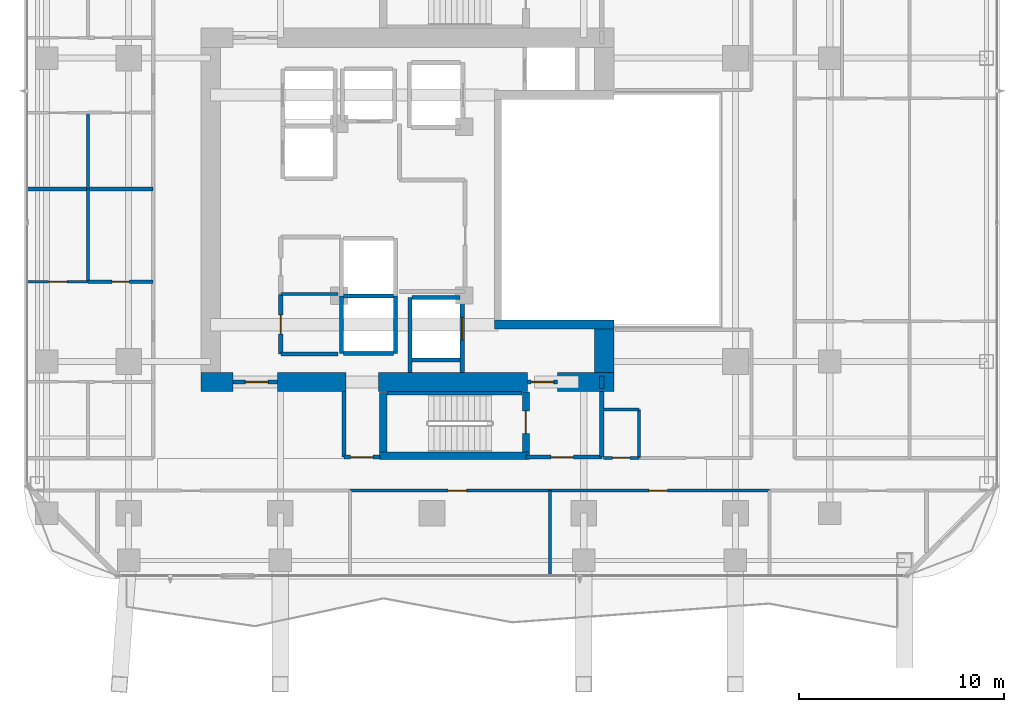
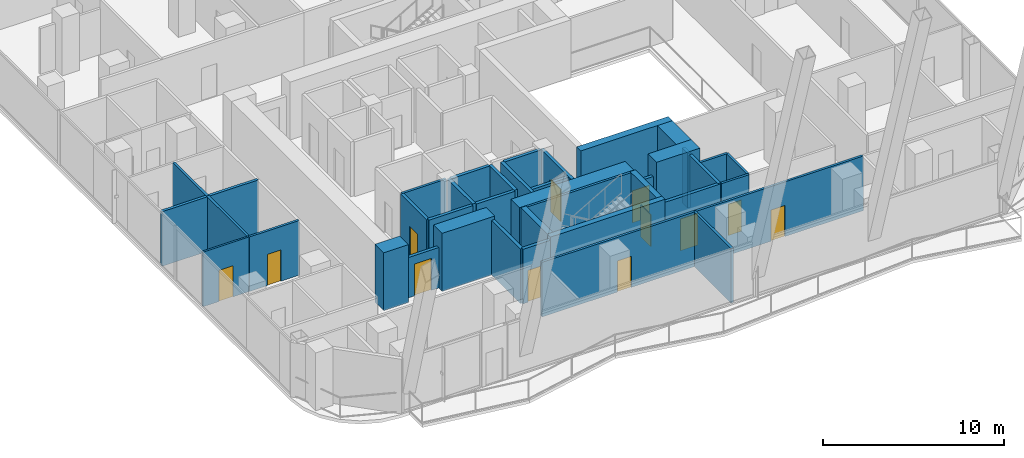
# One storey, part 19 of 30: 39 walls, 12 doors, 12 openings.
"""IFC4 building model written with IfcOpenShell, lengths in metres."""

from ifc_helpers import new_model, si_unit, direction, frame, frame_2d, origin, place, context, subcontext, project, spatial, rectangle, extrude, material, layer, layer_set, type_object, element, fill, save


model = new_model("IFC4")

# Units and contexts
model_context = context("Model", 3, precision=1e-05, world=origin(), true_north=direction((0.0, 1.0)))
body_context = subcontext(model_context, "Body", "Model", "MODEL_VIEW")
ifc_project = project(units=[si_unit("LENGTHUNIT", "METRE"), si_unit("AREAUNIT", "SQUARE_METRE"), si_unit("VOLUMEUNIT", "CUBIC_METRE"), si_unit("PLANEANGLEUNIT", "RADIAN"), si_unit("MASSUNIT", "GRAM", prefix="KILO")], contexts=[model_context])

# Site, building, storey
site_placement = place(None, origin())
site = spatial("IfcSite", under=ifc_project, at=site_placement, CompositionType="ELEMENT")
building_placement = place(site_placement, origin())
building = spatial("IfcBuilding", under=site, at=building_placement, Name="Khorvyn Point Tower", CompositionType="ELEMENT")
storey_placement = place(building_placement, frame((0.0, 0.0, 117.300048828125)))
storey = spatial("IfcBuildingStorey", under=building, at=storey_placement, Name="L29", CompositionType="ELEMENT", Elevation=117.300048828125)

# Walls
ifc_material_1 = material(Name="Double acoustic gypsum on twin steel stud", Category="steel")
ifc_layer_1 = layer(ifc_material_1, 0.179931640625)
ifc_layer_set_1 = layer_set([ifc_layer_1], Name="Acoustic Double-Stud Apartment Demising Wall 180")
wall_type_1 = type_object("IfcWallType", Name="Acoustic Double-Stud Apartment Demising Wall 180", PredefinedType="PARTITIONING", material=ifc_layer_set_1)
wall_1_placement = place(storey_placement, frame((-19.72998046875, 1.01806640625, 0.0), z_axis=(0.0, 0.0, 1.0), x_axis=(1.0, 0.0, 0.0)))
element("IfcWall", 1, at=wall_1_placement, inside=storey, type_object=wall_type_1, Name="Wall", PredefinedType="PARTITIONING", context=body_context, shape_type="SweptSolid", body=[
    extrude(rectangle(XDim=6.1298828125, YDim=0.179931640625, at=frame_2d((3.06494140625, 0.0))), origin(), (0.0, 0.0, 1.0), 3.679931640625),
])
ifc_material_2 = material(Name="Concrete C40/50", Category="concrete")
ifc_layer_2 = layer(ifc_material_2, 0.449951171875)
ifc_layer_set_2 = layer_set([ifc_layer_2], Name="Concrete C40/50 Core Shear Wall 450")
wall_type_2 = type_object("IfcWallType", Name="Concrete C40/50 Core Shear Wall 450", PredefinedType="SHEAR", material=ifc_layer_set_2)
wall_2_placement = place(storey_placement, frame((3.044921875, -5.60009765625, 0.0), z_axis=(0.0, 0.0, 1.0), x_axis=(1.0, 0.0, 0.0)))
element("IfcWall", 2, at=wall_2_placement, inside=storey, type_object=wall_type_2, Name="Wall", PredefinedType="SHEAR", context=body_context, shape_type="SweptSolid", body=[
    extrude(rectangle(XDim=5.830078125, YDim=0.449951171875, at=frame_2d((2.9150390625, 0.0))), origin(), (0.0, 0.0, 1.0), 3.89990234375),
])

# Wall, opening, door
ifc_layer_3 = layer(ifc_material_2, 0.199951171875)
ifc_layer_set_3 = layer_set([ifc_layer_3], Name="Concrete C40/50 Fire-Lobby Compartment Wall 200")
wall_type_3 = type_object("IfcWallType", Name="Concrete C40/50 Fire-Lobby Compartment Wall 200", PredefinedType="SOLIDWALL", material=ifc_layer_set_3)
wall_3_placement = place(storey_placement, frame((4.580078125, -12.06005859375, 0.0), z_axis=(0.0, 0.0, 1.0), x_axis=(1.0, 0.0, 0.0)))
wall_3 = element("IfcWall", 3, at=wall_3_placement, inside=storey, type_object=wall_type_3, Name="Wall", PredefinedType="SOLIDWALL", context=body_context, shape_type="SweptSolid", body=[
    extrude(rectangle(XDim=3.699951171875, YDim=0.199951171875, at=frame_2d((1.85009765625, 0.0))), origin(), (0.0, 0.0, 1.0), 3.679931640625),
])
opening_1_placement = place(wall_3_placement, frame((1.21240234375, 0.0, 0.0)))
opening_1 = element("IfcOpeningElement", 4, at=opening_1_placement, cuts=wall_3, Name="Opening ID-FL90", PredefinedType="OPENING", context=body_context, shape_type="SweptSolid", body=[
    extrude(rectangle(XDim=1.10009765625, YDim=2.14990234375, at=frame_2d((0.550048828125, 1.074951171875))), frame((0.0, 0.10986328125, 0.0), z_axis=(0.0, -1.0, 0.0), x_axis=(1.0, 0.0, 0.0)), (0.0, 0.0, 1.0), 0.219970703125),
])
ifc_material_3 = material(Name="Galvanised powder-coated steel", Category="steel")
door_type_1 = type_object("IfcDoorType", Name="Fire-Rated Steel Lobby and Stair Door 1100x2150", OperationType="NOTDEFINED", PredefinedType="DOOR", material=ifc_material_3)
door_1_placement = place(opening_1_placement, origin())
door_1 = element("IfcDoor", 5, at=door_1_placement, inside=storey, type_object=door_type_1, Name="Door", OperationType="SINGLE_SWING_LEFT", OverallHeight=2.14990234375, OverallWidth=1.10009765625, PredefinedType="DOOR", context=body_context, shape_type="SweptSolid", body=[
    extrude(rectangle(XDim=1.10009765625, YDim=2.14990234375, at=frame_2d((0.550048828125, 1.074951171875))), frame((0.0, 0.02490234375, 0.0), z_axis=(0.0, -1.0, 0.0), x_axis=(1.0, 0.0, 0.0)), (0.0, 0.0, 1.0), 0.050048828125),
])
fill(opening_1, door_1)

wall_4_placement = place(storey_placement, frame((4.64990234375, -8.39990234375, 0.0), z_axis=(0.0, 0.0, 1.0), x_axis=(1.0, 0.0, 0.0)))
wall_4 = element("IfcWall", 6, at=wall_4_placement, inside=storey, type_object=wall_type_3, Name="Wall", PredefinedType="SOLIDWALL", context=body_context, shape_type="SweptSolid", body=[
    extrude(rectangle(XDim=1.47021484375, YDim=0.199951171875, at=frame_2d((0.735107421875, 0.0))), origin(), (0.0, 0.0, 1.0), 2.719970703125),
])
opening_2_placement = place(wall_4_placement, frame((0.18505859375, 0.0, 0.0)))
opening_2 = element("IfcOpeningElement", 7, at=opening_2_placement, cuts=wall_4, Name="Opening ID-FL90", PredefinedType="OPENING", context=body_context, shape_type="SweptSolid", body=[
    extrude(rectangle(XDim=1.10009765625, YDim=2.14990234375, at=frame_2d((0.550048828125, 1.074951171875))), frame((0.0, 0.10986328125, 0.0), z_axis=(0.0, -1.0, 0.0), x_axis=(1.0, 0.0, 0.0)), (0.0, 0.0, 1.0), 0.219970703125),
])
door_2_placement = place(opening_2_placement, origin())
door_2 = element("IfcDoor", 8, at=door_2_placement, inside=storey, type_object=door_type_1, Name="Door", OperationType="SINGLE_SWING_RIGHT", OverallHeight=2.14990234375, OverallWidth=1.10009765625, PredefinedType="DOOR", context=body_context, shape_type="SweptSolid", body=[
    extrude(rectangle(XDim=1.10009765625, YDim=2.14990234375, at=frame_2d((0.550048828125, 1.074951171875))), frame((0.0, 0.02490234375, 0.0), z_axis=(0.0, -1.0, 0.0), x_axis=(1.0, 0.0, 0.0)), (0.0, 0.0, 1.0), 0.050048828125),
])
fill(opening_2, door_2)

wall_5_placement = place(storey_placement, frame((-9.699951171875, -8.39990234375, 0.0), z_axis=(0.0, 0.0, 1.0), x_axis=(1.0, 0.0, 0.0)))
wall_5 = element("IfcWall", 9, at=wall_5_placement, inside=storey, type_object=wall_type_3, Name="Wall", PredefinedType="SOLIDWALL", context=body_context, shape_type="SweptSolid", body=[
    extrude(rectangle(XDim=2.14990234375, YDim=0.199951171875, at=frame_2d((1.074951171875, 0.0))), origin(), (0.0, 0.0, 1.0), 2.719970703125),
])
opening_3_placement = place(wall_5_placement, frame((0.597900390625, 0.0, 0.0)))
opening_3 = element("IfcOpeningElement", 10, at=opening_3_placement, cuts=wall_5, Name="Opening ID-FL90", PredefinedType="OPENING", context=body_context, shape_type="SweptSolid", body=[
    extrude(rectangle(XDim=1.10009765625, YDim=2.14990234375, at=frame_2d((0.550048828125, 1.074951171875))), frame((0.0, 0.10986328125, 0.0), z_axis=(0.0, -1.0, 0.0), x_axis=(1.0, 0.0, 0.0)), (0.0, 0.0, 1.0), 0.219970703125),
])
door_3_placement = place(opening_3_placement, origin())
door_3 = element("IfcDoor", 11, at=door_3_placement, inside=storey, type_object=door_type_1, Name="Door", OperationType="SINGLE_SWING_RIGHT", OverallHeight=2.14990234375, OverallWidth=1.10009765625, PredefinedType="DOOR", context=body_context, shape_type="SweptSolid", body=[
    extrude(rectangle(XDim=1.10009765625, YDim=2.14990234375, at=frame_2d((0.550048828125, 1.074951171875))), frame((0.0, 0.02490234375, 0.0), z_axis=(0.0, -1.0, 0.0), x_axis=(1.0, 0.0, 0.0)), (0.0, 0.0, 1.0), 0.050048828125),
])
fill(opening_3, door_3)

wall_6_placement = place(storey_placement, frame((-4.300048828125, -12.06005859375, 0.0), z_axis=(0.0, 0.0, 1.0), x_axis=(1.0, 0.0, 0.0)))
wall_6 = element("IfcWall", 12, at=wall_6_placement, inside=storey, type_object=wall_type_3, Name="Wall", PredefinedType="SOLIDWALL", context=body_context, shape_type="SweptSolid", body=[
    extrude(rectangle(XDim=1.75, YDim=0.199951171875, at=frame_2d((0.875, 0.0))), origin(), (0.0, 0.0, 1.0), 3.679931640625),
])
opening_4_placement = place(wall_6_placement, frame((0.324951171875, 0.0, 0.0)))
opening_4 = element("IfcOpeningElement", 13, at=opening_4_placement, cuts=wall_6, Name="Opening ID-FL90", PredefinedType="OPENING", context=body_context, shape_type="SweptSolid", body=[
    extrude(rectangle(XDim=1.10009765625, YDim=2.14990234375, at=frame_2d((0.550048828125, 1.074951171875))), frame((0.0, 0.10986328125, 0.0), z_axis=(0.0, -1.0, 0.0), x_axis=(1.0, 0.0, 0.0)), (0.0, 0.0, 1.0), 0.219970703125),
])
door_4_placement = place(opening_4_placement, origin())
door_4 = element("IfcDoor", 14, at=door_4_placement, inside=storey, type_object=door_type_1, Name="Door", OperationType="SINGLE_SWING_RIGHT", OverallHeight=2.14990234375, OverallWidth=1.10009765625, PredefinedType="DOOR", context=body_context, shape_type="SweptSolid", body=[
    extrude(rectangle(XDim=1.10009765625, YDim=2.14990234375, at=frame_2d((0.550048828125, 1.074951171875))), frame((0.0, 0.02490234375, 0.0), z_axis=(0.0, -1.0, 0.0), x_axis=(1.0, 0.0, 0.0)), (0.0, 0.0, 1.0), 0.050048828125),
])
fill(opening_4, door_4)

wall_7_placement = place(storey_placement, frame((-7.3798828125, -7.0400390625, 0.0), z_axis=(0.0, 0.0, 1.0), x_axis=(0.0, 1.0, 0.0)))
wall_7 = element("IfcWall", 15, at=wall_7_placement, inside=storey, type_object=wall_type_3, Name="Wall", PredefinedType="SOLIDWALL", context=body_context, shape_type="SweptSolid", body=[
    extrude(rectangle(XDim=2.900146484375, YDim=0.199951171875, at=frame_2d((1.4501953125, 0.0))), origin(), (0.0, 0.0, 1.0), 3.679931640625),
])
opening_5_placement = place(wall_7_placement, frame((0.989990234375, 0.0, 0.0)))
opening_5 = element("IfcOpeningElement", 16, at=opening_5_placement, cuts=wall_7, Name="Opening ID-RS60", PredefinedType="OPENING", context=body_context, shape_type="SweptSolid", body=[
    extrude(rectangle(XDim=0.919921875, YDim=2.10009765625, at=frame_2d((0.4599609375, 1.050048828125))), frame((0.0, 0.10986328125, 0.0), z_axis=(0.0, -1.0, 0.0), x_axis=(1.0, 0.0, 0.0)), (0.0, 0.0, 1.0), 0.219970703125),
])
door_type_2 = type_object("IfcDoorType", Name="Fire-Rated Riser and Store Steel Door 920x2100", OperationType="NOTDEFINED", PredefinedType="DOOR", material=ifc_material_3)
door_5_placement = place(opening_5_placement, origin())
door_5 = element("IfcDoor", 17, at=door_5_placement, inside=storey, type_object=door_type_2, Name="Door", OperationType="SINGLE_SWING_RIGHT", OverallHeight=2.10009765625, OverallWidth=0.919921875, PredefinedType="DOOR", context=body_context, shape_type="SweptSolid", body=[
    extrude(rectangle(XDim=0.919921875, YDim=2.10009765625, at=frame_2d((0.4599609375, 1.050048828125))), frame((0.0, 0.02490234375, 0.0), z_axis=(0.0, -1.0, 0.0), x_axis=(1.0, 0.0, 0.0)), (0.0, 0.0, 1.0), 0.050048828125),
])
fill(opening_5, door_5)

# Walls
for number, where, z_axis, x_axis, name in (
    (18, (8.280029296875, -12.06005859375, 0.0), (0.0, 0.0, 1.0), (0.0, 1.0, 0.0), "Wall"),
    (19, (-4.300048828125, -12.06005859375, 0.0), (0.0, 0.0, 1.0), (0.0, 1.0, 0.0), "Wall"),
):
    element("IfcWall", number, at=place(storey_placement, frame(where, z_axis=z_axis, x_axis=x_axis)), inside=storey, type_object=wall_type_3, Name=name, PredefinedType="SOLIDWALL", context=body_context, shape_type="SweptSolid", body=[
        extrude(rectangle(XDim=3.18505859375, YDim=0.199951171875, at=frame_2d((1.592529296875, 0.0))), origin(), (0.0, 0.0, 1.0), 3.679931640625),
    ])
wall_8_placement = place(storey_placement, frame((-7.3798828125, -7.0400390625, 0.0), z_axis=(0.0, 0.0, 1.0), x_axis=(1.0, 0.0, 0.0)))
element("IfcWall", 20, at=wall_8_placement, inside=storey, type_object=wall_type_3, Name="Wall", PredefinedType="SOLIDWALL", context=body_context, shape_type="SweptSolid", body=[
    extrude(rectangle(XDim=2.7998046875, YDim=0.199951171875, at=frame_2d((1.39990234375, 0.0))), origin(), (0.0, 0.0, 1.0), 3.679931640625),
])
wall_9_placement = place(storey_placement, frame((8.280029296875, -8.72509765625, 0.0), z_axis=(0.0, 0.0, 1.0), x_axis=(0.0, 1.0, 0.0)))
element("IfcWall", 21, at=wall_9_placement, inside=storey, type_object=wall_type_3, Name="Wall", PredefinedType="SOLIDWALL", context=body_context, shape_type="SweptSolid", body=[
    extrude(rectangle(XDim=0.625, YDim=0.199951171875, at=frame_2d((0.3125, 0.0))), origin(), (0.0, 0.0, 1.0), 3.679931640625),
])
ifc_layer_4 = layer(ifc_material_2, 0.25)
ifc_layer_set_4 = layer_set([ifc_layer_4], Name="Concrete C40/50 Stair Inner Cheek Structural Wall 250")
wall_type_4 = type_object("IfcWallType", Name="Concrete C40/50 Stair Inner Cheek Structural Wall 250", PredefinedType="SHEAR", material=ifc_layer_set_4)
wall_10_placement = place(storey_placement, frame((-2.199951171875, -8.949951171875, 0.0), z_axis=(0.0, 0.0, 1.0), x_axis=(1.0, 0.0, 0.0)))
element("IfcWall", 22, at=wall_10_placement, inside=storey, type_object=wall_type_4, Name="Wall", PredefinedType="SHEAR", context=body_context, shape_type="SweptSolid", body=[
    extrude(rectangle(XDim=6.599853515625, YDim=0.14990234375, at=frame_2d((3.2998046875, 0.0))), origin(), (0.0, 0.0, 1.0), 3.89990234375),
])
ifc_layer_5 = layer(ifc_material_2, 0.35009765625)
ifc_layer_set_5 = layer_set([ifc_layer_5], Name="Concrete C40/50 Stair Shaft Structural Wall 350")
wall_type_5 = type_object("IfcWallType", Name="Concrete C40/50 Stair Shaft Structural Wall 350", PredefinedType="SHEAR", material=ifc_layer_set_5)
wall_11_placement = place(storey_placement, frame((-2.554931640625, -12.0, 0.0), z_axis=(0.0, 0.0, 1.0), x_axis=(1.0, 0.0, 0.0)))
element("IfcWall", 23, at=wall_11_placement, inside=storey, type_object=wall_type_5, Name="L29 ST-01 South Shaft Wall", PredefinedType="SHEAR", context=body_context, shape_type="SweptSolid", body=[
    extrude(rectangle(XDim=7.309814453125, YDim=0.35009765625, at=frame_2d((3.65478515625, 0.0))), origin(), (0.0, 0.0, 1.0), 3.89990234375),
])
wall_12_placement = place(storey_placement, frame((-2.3798828125, -11.824951171875, 0.0), z_axis=(0.0, 0.0, 1.0), x_axis=(0.0, 1.0, 0.0)))
element("IfcWall", 24, at=wall_12_placement, inside=storey, type_object=wall_type_5, Name="L29 ST-01 West Shaft Wall", PredefinedType="SHEAR", context=body_context, shape_type="SweptSolid", body=[
    extrude(rectangle(XDim=2.925048828125, YDim=0.35009765625, at=frame_2d((1.46240234375, 0.0))), origin(), (0.0, 0.0, 1.0), 3.89990234375),
])

# Wall, opening, door
wall_13_placement = place(storey_placement, frame((4.580078125, -8.89990234375, 0.0), z_axis=(0.0, 0.0, 1.0), x_axis=(0.0, -1.0, 0.0)))
wall_13 = element("IfcWall", 25, at=wall_13_placement, inside=storey, type_object=wall_type_5, Name="L29 ST-01 East Landing Door Wall", PredefinedType="SHEAR", context=body_context, shape_type="SweptSolid", body=[
    extrude(rectangle(XDim=2.925048828125, YDim=0.35009765625, at=frame_2d((1.46240234375, 0.0))), origin(), (0.0, 0.0, 1.0), 3.89990234375),
])
opening_6_placement = place(wall_13_placement, frame((0.91259765625, 0.0, 0.0)))
opening_6 = element("IfcOpeningElement", 26, at=opening_6_placement, cuts=wall_13, Name="Opening ID-FL90", PredefinedType="OPENING", context=body_context, shape_type="SweptSolid", body=[
    extrude(rectangle(XDim=1.10009765625, YDim=2.14990234375, at=frame_2d((0.550048828125, 1.074951171875))), frame((0.0, 0.18505859375, 0.0), z_axis=(0.0, -1.0, 0.0), x_axis=(1.0, 0.0, 0.0)), (0.0, 0.0, 1.0), 0.3701171875),
])
door_6_placement = place(opening_6_placement, origin())
door_6 = element("IfcDoor", 27, at=door_6_placement, inside=storey, type_object=door_type_1, Name="L29 ST-01 Smokeproof Landing Door", OperationType="SINGLE_SWING_LEFT", OverallHeight=2.14990234375, OverallWidth=1.10009765625, PredefinedType="DOOR", context=body_context, shape_type="SweptSolid", body=[
    extrude(rectangle(XDim=1.10009765625, YDim=2.14990234375, at=frame_2d((0.550048828125, 1.074951171875))), frame((0.0, 0.02490234375, 0.0), z_axis=(0.0, -1.0, 0.0), x_axis=(1.0, 0.0, 0.0)), (0.0, 0.0, 1.0), 0.050048828125),
])
fill(opening_6, door_6)

# Walls
ifc_layer_6 = layer(ifc_material_2, 0.199951171875)
ifc_layer_set_6 = layer_set([ifc_layer_6], Name="Concrete C40/50 Structural Hoistway and Stair Shaft Wall 200")
wall_type_6 = type_object("IfcWallType", Name="Concrete C40/50 Structural Hoistway and Stair Shaft Wall 200", PredefinedType="SHEAR", material=ifc_layer_set_6)
for number, where, z_axis, x_axis, name in (
    (28, (-4.425048828125, -7.0, 0.0), (0.0, 0.0, 1.0), (0.0, 1.0, 0.0), "Wall"),
    (29, (-1.77490234375, -7.0, 0.0), (0.0, 0.0, 1.0), (0.0, 1.0, 0.0), "Wall"),
):
    element("IfcWall", number, at=place(storey_placement, frame(where, z_axis=z_axis, x_axis=x_axis)), inside=storey, type_object=wall_type_6, Name=name, PredefinedType="SHEAR", context=body_context, shape_type="SweptSolid", body=[
        extrude(rectangle(XDim=2.800048828125, YDim=0.199951171875, at=frame_2d((1.39990234375, 0.0))), origin(), (0.0, 0.0, 1.0), 3.679931640625),
    ])
for number, where, z_axis, x_axis, name in (
    (30, (-4.324951171875, -7.0, 0.0), (0.0, 0.0, 1.0), (1.0, 0.0, 0.0), "Wall"),
    (31, (-4.324951171875, -4.199951171875, 0.0), (0.0, 0.0, 1.0), (1.0, 0.0, 0.0), "Wall"),
):
    element("IfcWall", number, at=place(storey_placement, frame(where, z_axis=z_axis, x_axis=x_axis)), inside=storey, type_object=wall_type_6, Name=name, PredefinedType="SHEAR", context=body_context, shape_type="SweptSolid", body=[
        extrude(rectangle(XDim=2.449951171875, YDim=0.199951171875, at=frame_2d((1.22509765625, 0.0))), origin(), (0.0, 0.0, 1.0), 3.679931640625),
    ])
wall_14_placement = place(storey_placement, frame((-1.074951171875, -7.925048828125, 0.0), z_axis=(0.0, 0.0, 1.0), x_axis=(0.0, 1.0, 0.0)))
element("IfcWall", 32, at=wall_14_placement, inside=storey, type_object=wall_type_6, Name="Wall", PredefinedType="SHEAR", context=body_context, shape_type="SweptSolid", body=[
    extrude(rectangle(XDim=3.650146484375, YDim=0.199951171875, at=frame_2d((1.8251953125, 0.0))), origin(), (0.0, 0.0, 1.0), 3.679931640625),
])

# Wall, opening, door
wall_15_placement = place(storey_placement, frame((1.47509765625, -7.925048828125, 0.0), z_axis=(0.0, 0.0, 1.0), x_axis=(0.0, 1.0, 0.0)))
wall_15 = element("IfcWall", 33, at=wall_15_placement, inside=storey, type_object=wall_type_6, Name="Wall", PredefinedType="SHEAR", context=body_context, shape_type="SweptSolid", body=[
    extrude(rectangle(XDim=3.650146484375, YDim=0.199951171875, at=frame_2d((1.8251953125, 0.0))), origin(), (0.0, 0.0, 1.0), 3.679931640625),
])
opening_7_placement = place(wall_15_placement, frame((1.574951171875, 0.0, 0.0)))
opening_7 = element("IfcOpeningElement", 34, at=opening_7_placement, cuts=wall_15, Name="Opening LD-1122", PredefinedType="OPENING", context=body_context, shape_type="SweptSolid", body=[
    extrude(rectangle(XDim=1.10009765625, YDim=2.199951171875, at=frame_2d((0.550048828125, 1.10009765625))), frame((0.0, 0.10986328125, 0.0), z_axis=(0.0, -1.0, 0.0), x_axis=(1.0, 0.0, 0.0)), (0.0, 0.0, 1.0), 0.219970703125),
])
ifc_material_4 = material(Name="Stainless steel 1.4301", Category="steel")
door_type_3 = type_object("IfcDoorType", Name="Stainless Steel Automatic Sliding Lift Landing Door 1100x2200", OperationType="SLIDING_TO_LEFT", PredefinedType="DOOR", material=ifc_material_4)
door_7_placement = place(opening_7_placement, origin())
door_7 = element("IfcDoor", 35, at=door_7_placement, inside=storey, type_object=door_type_3, Name="L29 FF-01 Sliding Lift Landing Door", OperationType="SLIDING_TO_LEFT", OverallHeight=2.199951171875, OverallWidth=1.10009765625, PredefinedType="DOOR", context=body_context, shape_type="SweptSolid", body=[
    extrude(rectangle(XDim=1.10009765625, YDim=2.199951171875, at=frame_2d((0.550048828125, 1.10009765625))), frame((0.0, 0.02490234375, 0.0), z_axis=(0.0, -1.0, 0.0), x_axis=(1.0, 0.0, 0.0)), (0.0, 0.0, 1.0), 0.050048828125),
])
fill(opening_7, door_7)

# Walls
for number, where, z_axis, x_axis, name in (
    (36, (-0.97509765625, -7.324951171875, 0.0), (0.0, 0.0, 1.0), (1.0, 0.0, 0.0), "Wall"),
    (37, (-0.97509765625, -4.27490234375, 0.0), (0.0, 0.0, 1.0), (1.0, 0.0, 0.0), "Wall"),
):
    element("IfcWall", number, at=place(storey_placement, frame(where, z_axis=z_axis, x_axis=x_axis)), inside=storey, type_object=wall_type_6, Name=name, PredefinedType="SHEAR", context=body_context, shape_type="SweptSolid", body=[
        extrude(rectangle(XDim=2.35009765625, YDim=0.199951171875, at=frame_2d((1.175048828125, 0.0))), origin(), (0.0, 0.0, 1.0), 3.679931640625),
    ])
ifc_material_5 = material(Name="Concrete C50/60", Category="concrete")
ifc_layer_7 = layer(ifc_material_5, 0.949951171875)
ifc_layer_set_7 = layer_set([ifc_layer_7], Name="Concrete C50/60 Core Shear Wall 950")
wall_type_7 = type_object("IfcWallType", Name="Concrete C50/60 Core Shear Wall 950", PredefinedType="SHEAR", material=ifc_layer_set_7)
wall_16_placement = place(storey_placement, frame((-11.27490234375, -8.39990234375, 0.0), z_axis=(0.0, 0.0, 1.0), x_axis=(1.0, 0.0, 0.0)))
element("IfcWall", 38, at=wall_16_placement, inside=storey, type_object=wall_type_7, Name="Wall", PredefinedType="SHEAR", context=body_context, shape_type="SweptSolid", body=[
    extrude(rectangle(XDim=1.574951171875, YDim=0.949951171875, at=frame_2d((0.78759765625, 0.0))), origin(), (0.0, 0.0, 1.0), 3.89990234375),
])
wall_17_placement = place(storey_placement, frame((-7.550048828125, -8.39990234375, 0.0), z_axis=(0.0, 0.0, 1.0), x_axis=(1.0, 0.0, 0.0)))
element("IfcWall", 39, at=wall_17_placement, inside=storey, type_object=wall_type_7, Name="Wall", PredefinedType="SHEAR", context=body_context, shape_type="SweptSolid", body=[
    extrude(rectangle(XDim=3.35009765625, YDim=0.949951171875, at=frame_2d((1.675048828125, 0.0))), origin(), (0.0, 0.0, 1.0), 3.89990234375),
])
wall_18_placement = place(storey_placement, frame((-2.6201171875, -8.39990234375, 0.0), z_axis=(0.0, 0.0, 1.0), x_axis=(1.0, 0.0, 0.0)))
element("IfcWall", 40, at=wall_18_placement, inside=storey, type_object=wall_type_7, Name="Wall", PredefinedType="SHEAR", context=body_context, shape_type="SweptSolid", body=[
    extrude(rectangle(XDim=7.27001953125, YDim=0.949951171875, at=frame_2d((3.635009765625, 0.0))), origin(), (0.0, 0.0, 1.0), 3.89990234375),
])
wall_19_placement = place(storey_placement, frame((6.1201171875, -8.39990234375, 0.0), z_axis=(0.0, 0.0, 1.0), x_axis=(1.0, 0.0, 0.0)))
element("IfcWall", 41, at=wall_19_placement, inside=storey, type_object=wall_type_7, Name="Wall", PredefinedType="SHEAR", context=body_context, shape_type="SweptSolid", body=[
    extrude(rectangle(XDim=2.7548828125, YDim=0.949951171875, at=frame_2d((1.37744140625, 0.0))), origin(), (0.0, 0.0, 1.0), 3.89990234375),
])
wall_20_placement = place(storey_placement, frame((8.39990234375, -7.925048828125, 0.0), z_axis=(0.0, 0.0, 1.0), x_axis=(0.0, 1.0, 0.0)))
element("IfcWall", 42, at=wall_20_placement, inside=storey, type_object=wall_type_7, Name="Wall", PredefinedType="SHEAR", context=body_context, shape_type="SweptSolid", body=[
    extrude(rectangle(XDim=2.10009765625, YDim=0.949951171875, at=frame_2d((1.050048828125, 0.0))), origin(), (0.0, 0.0, 1.0), 3.89990234375),
])

# Wall, opening, door
ifc_material_6 = material(Name="Gypsum plasterboard on steel stud", Category="steel")
ifc_layer_8 = layer(ifc_material_6, 0.1201171875)
ifc_layer_set_8 = layer_set([ifc_layer_8], Name="Gypsum Acoustic Stud Room Partition Wall 120")
wall_type_8 = type_object("IfcWallType", Name="Gypsum Acoustic Stud Room Partition Wall 120", PredefinedType="PARTITIONING", material=ifc_layer_set_8)
wall_21_placement = place(storey_placement, frame((-19.72998046875, -3.508056640625, 0.0), z_axis=(0.0, 0.0, 1.0), x_axis=(1.0, 0.0, 0.0)))
wall_21 = element("IfcWall", 43, at=wall_21_placement, inside=storey, type_object=wall_type_8, Name="Wall", PredefinedType="PARTITIONING", context=body_context, shape_type="SweptSolid", body=[
    extrude(rectangle(XDim=2.946044921875, YDim=0.1201171875, at=frame_2d((1.47314453125, 0.0))), origin(), (0.0, 0.0, 1.0), 3.679931640625),
])
opening_8_placement = place(wall_21_placement, frame((1.02294921875, 0.0, 0.0)))
opening_8 = element("IfcOpeningElement", 44, at=opening_8_placement, cuts=wall_21, Name="Opening ID-RM90", PredefinedType="OPENING", context=body_context, shape_type="SweptSolid", body=[
    extrude(rectangle(XDim=0.89990234375, YDim=2.10009765625, at=frame_2d((0.449951171875, 1.050048828125))), frame((0.0, 0.070068359375, 0.0), z_axis=(0.0, -1.0, 0.0), x_axis=(1.0, 0.0, 0.0)), (0.0, 0.0, 1.0), 0.14013671875),
])
ifc_material_7 = material(Name="Engineered oak veneer timber", Category="wood")
door_type_4 = type_object("IfcDoorType", Name="Flush Engineered Timber Room Door 900x2100", OperationType="NOTDEFINED", PredefinedType="DOOR", material=ifc_material_7)
door_8_placement = place(opening_8_placement, origin())
door_8 = element("IfcDoor", 45, at=door_8_placement, inside=storey, type_object=door_type_4, Name="Door", OperationType="SINGLE_SWING_LEFT", OverallHeight=2.10009765625, OverallWidth=0.89990234375, PredefinedType="DOOR", context=body_context, shape_type="SweptSolid", body=[
    extrude(rectangle(XDim=0.89990234375, YDim=2.10009765625, at=frame_2d((0.449951171875, 1.050048828125))), frame((0.0, 0.02490234375, 0.0), z_axis=(0.0, -1.0, 0.0), x_axis=(1.0, 0.0, 0.0)), (0.0, 0.0, 1.0), 0.050048828125),
])
fill(opening_8, door_8)

ifc_material_8 = material(Name="Moisture-resistant gypsum and cement board", Category="gypsum")
ifc_layer_9 = layer(ifc_material_8, 0.14990234375)
ifc_layer_set_9 = layer_set([ifc_layer_9], Name="Moisture-Resistant Wet-Room Partition Wall 150")
wall_type_9 = type_object("IfcWallType", Name="Moisture-Resistant Wet-Room Partition Wall 150", PredefinedType="PARTITIONING", material=ifc_layer_set_9)
wall_22_placement = place(storey_placement, frame((8.360107421875, -12.10009765625, 0.0), z_axis=(0.0, 0.0, 1.0), x_axis=(1.0, 0.0, 0.0)))
wall_22 = element("IfcWall", 46, at=wall_22_placement, inside=storey, type_object=wall_type_9, Name="Wall", PredefinedType="PARTITIONING", context=body_context, shape_type="SweptSolid", body=[
    extrude(rectangle(XDim=1.739990234375, YDim=0.14990234375, at=frame_2d((0.8701171875, 0.0))), origin(), (0.0, 0.0, 1.0), 3.679931640625),
])
opening_9_placement = place(wall_22_placement, frame((0.445068359375, 0.0, 0.0)))
opening_9 = element("IfcOpeningElement", 47, at=opening_9_placement, cuts=wall_22, Name="Opening ID-WC85", PredefinedType="OPENING", context=body_context, shape_type="SweptSolid", body=[
    extrude(rectangle(XDim=0.85009765625, YDim=2.10009765625, at=frame_2d((0.425048828125, 1.050048828125))), frame((0.0, 0.0849609375, 0.0), z_axis=(0.0, -1.0, 0.0), x_axis=(1.0, 0.0, 0.0)), (0.0, 0.0, 1.0), 0.169921875),
])
ifc_material_9 = material(Name="High-pressure laminate on moisture-resistant core", Category="wood")
door_type_5 = type_object("IfcDoorType", Name="Moisture-Resistant Accessible Washroom Door 850x2100", OperationType="NOTDEFINED", PredefinedType="DOOR", material=ifc_material_9)
door_9_placement = place(opening_9_placement, origin())
door_9 = element("IfcDoor", 48, at=door_9_placement, inside=storey, type_object=door_type_5, Name="Door", OperationType="SINGLE_SWING_RIGHT", OverallHeight=2.10009765625, OverallWidth=0.85009765625, PredefinedType="DOOR", context=body_context, shape_type="SweptSolid", body=[
    extrude(rectangle(XDim=0.85009765625, YDim=2.10009765625, at=frame_2d((0.425048828125, 1.050048828125))), frame((0.0, 0.02490234375, 0.0), z_axis=(0.0, -1.0, 0.0), x_axis=(1.0, 0.0, 0.0)), (0.0, 0.0, 1.0), 0.050048828125),
])
fill(opening_9, door_9)

wall_23_placement = place(storey_placement, frame((-4.011962890625, -13.699951171875, 0.0), z_axis=(0.0, 0.0, 1.0), x_axis=(1.0, 0.0, 0.0)))
wall_23 = element("IfcWall", 49, at=wall_23_placement, inside=storey, type_object=wall_type_9, Name="Wall", PredefinedType="PARTITIONING", context=body_context, shape_type="SweptSolid", body=[
    extrude(rectangle(XDim=9.77294921875, YDim=0.14990234375, at=frame_2d((4.886474609375, 0.0))), origin(), (0.0, 0.0, 1.0), 3.679931640625),
])
opening_10_placement = place(wall_23_placement, frame((4.79296875, 0.0, 0.0)))
opening_10 = element("IfcOpeningElement", 50, at=opening_10_placement, cuts=wall_23, Name="Opening ID-RM90", PredefinedType="OPENING", context=body_context, shape_type="SweptSolid", body=[
    extrude(rectangle(XDim=0.89990234375, YDim=2.10009765625, at=frame_2d((0.449951171875, 1.050048828125))), frame((0.0, 0.0849609375, 0.0), z_axis=(0.0, -1.0, 0.0), x_axis=(1.0, 0.0, 0.0)), (0.0, 0.0, 1.0), 0.169921875),
])
door_10_placement = place(opening_10_placement, origin())
door_10 = element("IfcDoor", 51, at=door_10_placement, inside=storey, type_object=door_type_4, Name="Door", OperationType="SINGLE_SWING_RIGHT", OverallHeight=2.10009765625, OverallWidth=0.89990234375, PredefinedType="DOOR", context=body_context, shape_type="SweptSolid", body=[
    extrude(rectangle(XDim=0.89990234375, YDim=2.10009765625, at=frame_2d((0.449951171875, 1.050048828125))), frame((0.0, 0.02490234375, 0.0), z_axis=(0.0, -1.0, 0.0), x_axis=(1.0, 0.0, 0.0)), (0.0, 0.0, 1.0), 0.050048828125),
])
fill(opening_10, door_10)

wall_24_placement = place(storey_placement, frame((5.760986328125, -13.699951171875, 0.0), z_axis=(0.0, 0.0, 1.0), x_axis=(1.0, 0.0, 0.0)))
wall_24 = element("IfcWall", 52, at=wall_24_placement, inside=storey, type_object=wall_type_9, Name="Wall", PredefinedType="PARTITIONING", context=body_context, shape_type="SweptSolid", body=[
    extrude(rectangle(XDim=10.7041015625, YDim=0.14990234375, at=frame_2d((5.35205078125, 0.0))), origin(), (0.0, 0.0, 1.0), 3.679931640625),
])
opening_11_placement = place(wall_24_placement, frame((4.8125, 0.0, 0.0)))
opening_11 = element("IfcOpeningElement", 53, at=opening_11_placement, cuts=wall_24, Name="Opening ID-RM90", PredefinedType="OPENING", context=body_context, shape_type="SweptSolid", body=[
    extrude(rectangle(XDim=0.89990234375, YDim=2.10009765625, at=frame_2d((0.449951171875, 1.050048828125))), frame((0.0, 0.0849609375, 0.0), z_axis=(0.0, -1.0, 0.0), x_axis=(1.0, 0.0, 0.0)), (0.0, 0.0, 1.0), 0.169921875),
])
door_11_placement = place(opening_11_placement, origin())
door_11 = element("IfcDoor", 54, at=door_11_placement, inside=storey, type_object=door_type_4, Name="Door", OperationType="SINGLE_SWING_LEFT", OverallHeight=2.10009765625, OverallWidth=0.89990234375, PredefinedType="DOOR", context=body_context, shape_type="SweptSolid", body=[
    extrude(rectangle(XDim=0.89990234375, YDim=2.10009765625, at=frame_2d((0.449951171875, 1.050048828125))), frame((0.0, 0.02490234375, 0.0), z_axis=(0.0, -1.0, 0.0), x_axis=(1.0, 0.0, 0.0)), (0.0, 0.0, 1.0), 0.050048828125),
])
fill(opening_11, door_11)

wall_25_placement = place(storey_placement, frame((-16.783935546875, -3.508056640625, 0.0), z_axis=(0.0, 0.0, 1.0), x_axis=(1.0, 0.0, 0.0)))
wall_25 = element("IfcWall", 55, at=wall_25_placement, inside=storey, type_object=wall_type_9, Name="Wall", PredefinedType="PARTITIONING", context=body_context, shape_type="SweptSolid", body=[
    extrude(rectangle(XDim=3.183837890625, YDim=0.14990234375, at=frame_2d((1.591796875, 0.0))), origin(), (0.0, 0.0, 1.0), 3.679931640625),
])
opening_12_placement = place(wall_25_placement, frame((1.1669921875, 0.0, 0.0)))
opening_12 = element("IfcOpeningElement", 56, at=opening_12_placement, cuts=wall_25, Name="Opening ID-WC85", PredefinedType="OPENING", context=body_context, shape_type="SweptSolid", body=[
    extrude(rectangle(XDim=0.85009765625, YDim=2.10009765625, at=frame_2d((0.425048828125, 1.050048828125))), frame((0.0, 0.0849609375, 0.0), z_axis=(0.0, -1.0, 0.0), x_axis=(1.0, 0.0, 0.0)), (0.0, 0.0, 1.0), 0.169921875),
])
door_12_placement = place(opening_12_placement, origin())
door_12 = element("IfcDoor", 57, at=door_12_placement, inside=storey, type_object=door_type_5, Name="Door", OperationType="SINGLE_SWING_RIGHT", OverallHeight=2.10009765625, OverallWidth=0.85009765625, PredefinedType="DOOR", context=body_context, shape_type="SweptSolid", body=[
    extrude(rectangle(XDim=0.85009765625, YDim=2.10009765625, at=frame_2d((0.425048828125, 1.050048828125))), frame((0.0, 0.02490234375, 0.0), z_axis=(0.0, -1.0, 0.0), x_axis=(1.0, 0.0, 0.0)), (0.0, 0.0, 1.0), 0.050048828125),
])
fill(opening_12, door_12)

# Walls
wall_26_placement = place(storey_placement, frame((-7.3798828125, -4.110107421875, 0.0), z_axis=(0.0, 0.0, 1.0), x_axis=(1.0, 0.0, 0.0)))
element("IfcWall", 58, at=wall_26_placement, inside=storey, type_object=wall_type_9, Name="Wall", PredefinedType="PARTITIONING", context=body_context, shape_type="SweptSolid", body=[
    extrude(rectangle(XDim=2.7998046875, YDim=0.14990234375, at=frame_2d((1.39990234375, 0.0))), origin(), (0.0, 0.0, 1.0), 3.679931640625),
])
wall_27_placement = place(storey_placement, frame((8.360107421875, -9.75, 0.0), z_axis=(0.0, 0.0, 1.0), x_axis=(1.0, 0.0, 0.0)))
element("IfcWall", 59, at=wall_27_placement, inside=storey, type_object=wall_type_9, Name="Wall", PredefinedType="PARTITIONING", context=body_context, shape_type="SweptSolid", body=[
    extrude(rectangle(XDim=1.739990234375, YDim=0.14990234375, at=frame_2d((0.8701171875, 0.0))), origin(), (0.0, 0.0, 1.0), 3.679931640625),
])
wall_28_placement = place(storey_placement, frame((10.10009765625, -12.10009765625, 0.0), z_axis=(0.0, 0.0, 1.0), x_axis=(0.0, 1.0, 0.0)))
element("IfcWall", 60, at=wall_28_placement, inside=storey, type_object=wall_type_9, Name="Wall", PredefinedType="PARTITIONING", context=body_context, shape_type="SweptSolid", body=[
    extrude(rectangle(XDim=2.35009765625, YDim=0.14990234375, at=frame_2d((1.175048828125, 0.0))), origin(), (0.0, 0.0, 1.0), 3.679931640625),
])
wall_29_placement = place(storey_placement, frame((5.760986328125, -17.830078125, 0.0), z_axis=(0.0, 0.0, 1.0), x_axis=(0.0, 1.0, 0.0)))
element("IfcWall", 61, at=wall_29_placement, inside=storey, type_object=wall_type_9, Name="Wall", PredefinedType="PARTITIONING", context=body_context, shape_type="SweptSolid", body=[
    extrude(rectangle(XDim=4.130126953125, YDim=0.14990234375, at=frame_2d((2.06494140625, 0.0))), origin(), (0.0, 0.0, 1.0), 3.679931640625),
])
wall_30_placement = place(storey_placement, frame((-16.783935546875, -3.508056640625, 0.0), z_axis=(0.0, 0.0, 1.0), x_axis=(0.0, 1.0, 0.0)))
element("IfcWall", 62, at=wall_30_placement, inside=storey, type_object=wall_type_9, Name="Wall", PredefinedType="PARTITIONING", context=body_context, shape_type="SweptSolid", body=[
    extrude(rectangle(XDim=4.526123046875, YDim=0.14990234375, at=frame_2d((2.26318359375, 0.0))), origin(), (0.0, 0.0, 1.0), 3.679931640625),
])
wall_31_placement = place(storey_placement, frame((-16.783935546875, 1.01806640625, 0.0), z_axis=(0.0, 0.0, 1.0), x_axis=(0.0, 1.0, 0.0)))
element("IfcWall", 63, at=wall_31_placement, inside=storey, type_object=wall_type_9, Name="Wall", PredefinedType="PARTITIONING", context=body_context, shape_type="SweptSolid", body=[
    extrude(rectangle(XDim=3.725830078125, YDim=0.14990234375, at=frame_2d((1.86279296875, 0.0))), origin(), (0.0, 0.0, 1.0), 3.679931640625),
])

save(model, "model.ifc")
